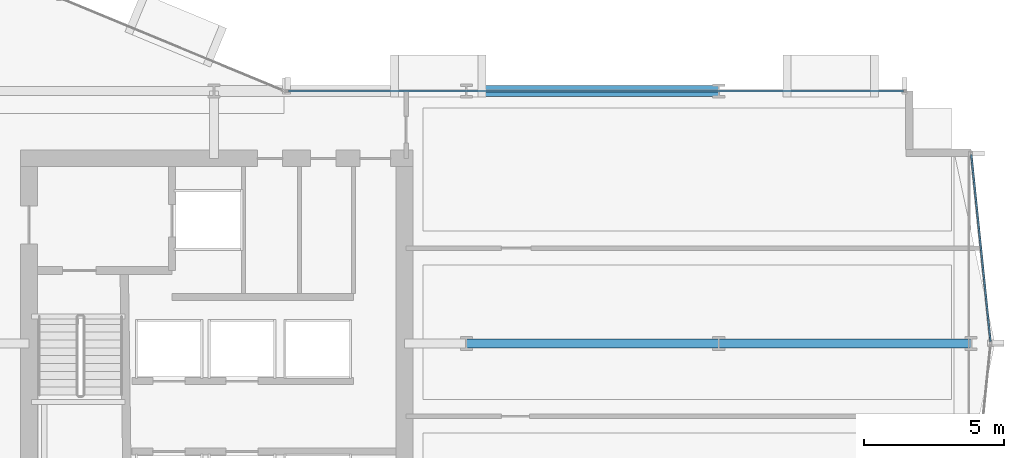
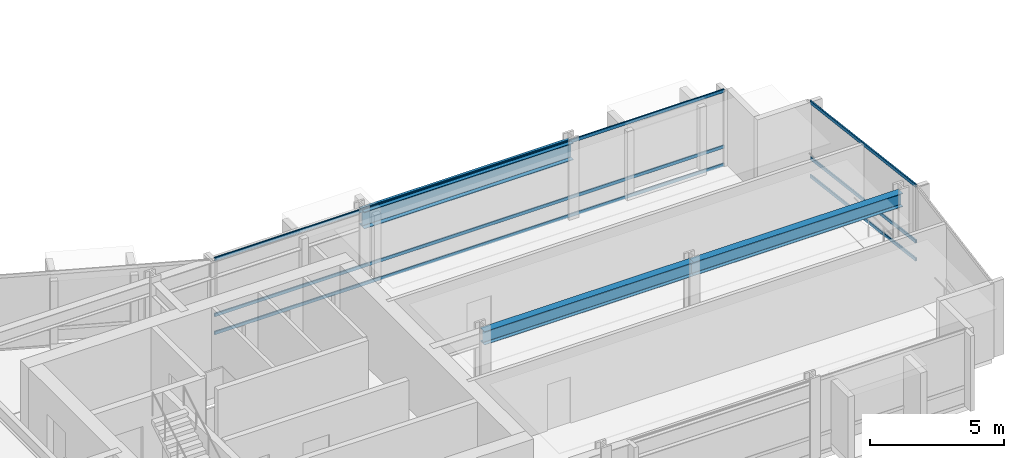
# One storey, part 16 of 34: 6 members, 3 beams, 2 elements without a shape of their own.
"""IFC4 building model written with IfcOpenShell, lengths in metres."""

from ifc_helpers import new_model, si_unit, direction, frame, origin, origin_2d, place, context, subcontext, project, spatial, hollow_rectangle, i_section, extrude, material, layer, layer_set, material_profile, profile_set, type_object, element, aggregate, save


model = new_model("IFC4")

# Units and contexts
model_context = context("Model", 3, precision=1e-05, world=origin(), true_north=direction((0.0, 1.0)))
body_context = subcontext(model_context, "Body", "Model", "MODEL_VIEW")
ifc_project = project(units=[si_unit("LENGTHUNIT", "METRE"), si_unit("AREAUNIT", "SQUARE_METRE"), si_unit("VOLUMEUNIT", "CUBIC_METRE"), si_unit("PLANEANGLEUNIT", "RADIAN"), si_unit("MASSUNIT", "GRAM", prefix="KILO")], contexts=[model_context])

# Site, building, storey
site_placement = place(None, origin())
site = spatial("IfcSite", under=ifc_project, at=site_placement, CompositionType="ELEMENT")
building_placement = place(site_placement, origin())
building = spatial("IfcBuilding", under=site, at=building_placement, Name="Solvaryn Broadcast Tower", CompositionType="ELEMENT")
storey_placement = place(building_placement, frame((0.0, 0.0, 36.0)))
storey = spatial("IfcBuildingStorey", under=building, at=storey_placement, Name="L07", CompositionType="ELEMENT", Elevation=36.0)

# Beams
ifc_material_1 = material(Name="Steel ASTM A992 Grade 50", Category="steel")
ifc_material_profile_1 = material_profile(ifc_material_1, i_section(OverallWidth=0.323974609375, OverallDepth=0.611083984375, WebThickness=0.0126953125, FlangeThickness=0.01904296875, FilletRadius=0.014892578125, at=origin_2d()))
ifc_profile_set_1 = profile_set([ifc_material_profile_1], Name="Steel ASTM A992 Grade 50")
beam_type_1 = type_object("IfcBeamType", Name="BM-B1-W24X104", PredefinedType="BEAM", material=ifc_profile_set_1)
for number, where, z_axis, x_axis, name in (
    (1, (45.0, 18.0, 3.114501953125), (1.0, 0.0, 0.0), (0.0, 1.0, 0.0), "L07 Primary Beam X (45-54 @ Y=18)"),
    (2, (54.0, 18.0, 3.114501953125), (1.0, 0.0, 0.0), (0.0, 1.0, 0.0), "L07 Primary Beam X (54-63 @ Y=18)"),
):
    element("IfcBeam", number, at=place(storey_placement, frame(where, z_axis=z_axis, x_axis=x_axis)), inside=storey, type_object=beam_type_1, Name=name, PredefinedType="BEAM", context=body_context, shape_type="SweptSolid", body=[
        extrude(i_section(OverallWidth=0.323974609375, OverallDepth=0.611083984375, WebThickness=0.0126953125, FlangeThickness=0.01904296875, FilletRadius=0.014892578125, at=origin_2d()), origin(), (0.0, 0.0, 1.0), 9.0),
    ])
ifc_material_2 = material(Name="Steel ASTM A992 Grade 50", Category="steel")
ifc_material_profile_2 = material_profile(ifc_material_2, i_section(OverallWidth=0.381103515625, OverallDepth=0.77294921875, WebThickness=0.0166015625, FlangeThickness=0.027099609375, FilletRadius=0.01806640625, at=origin_2d()))
ifc_profile_set_2 = profile_set([ifc_material_profile_2], Name="Steel ASTM A992 Grade 50")
beam_type_2 = type_object("IfcBeamType", Name="BM-SP1-W30X173", PredefinedType="USERDEFINED", material=ifc_profile_set_2)
beam_placement = place(storey_placement, frame((45.0, 27.0, 3.033447265625), z_axis=(1.0, 0.0, 0.0), x_axis=(0.0, 1.0, 0.0)))
element("IfcBeam", 3, at=beam_placement, inside=storey, type_object=beam_type_2, Name="L07 Spandrel Beam X (45-54 @ Y=27)", ObjectType="SPANDREL", PredefinedType="USERDEFINED", context=body_context, shape_type="SweptSolid", body=[
    extrude(i_section(OverallWidth=0.381103515625, OverallDepth=0.77294921875, WebThickness=0.0166015625, FlangeThickness=0.027099609375, FilletRadius=0.01806640625, at=origin_2d()), origin(), (0.0, 0.0, 1.0), 9.0),
])

# Curtain wall, members
ifc_material_3 = material(Name="Aluminium and Terracotta Unitised Curtain Wall", Category="masonry")
ifc_layer = layer(ifc_material_3, 0.199951171875)
ifc_layer_set = layer_set([ifc_layer], Name="CW-SYS2-LOWMID")
curtain_wall_type = type_object("IfcCurtainWallType", Name="CW-SYS2-LOWMID", PredefinedType="NOTDEFINED", material=ifc_layer_set)
curtain_wall_1_placement = place(storey_placement, origin())
curtain_wall_1 = element("IfcCurtainWall", 4, at=curtain_wall_1_placement, inside=storey, type_object=curtain_wall_type, Name="L07 Curtain Wall ET1", PredefinedType="NOTDEFINED")
ifc_material_4 = material(Name="Anodised Aluminium 6063-T6", Category="aluminium")
ifc_material_profile_3 = material_profile(ifc_material_4, hollow_rectangle(XDim=0.06494140625, YDim=0.14990234375, WallThickness=0.00390625, InnerFilletRadius=0.00390625, OuterFilletRadius=0.008056640625, at=origin_2d()))
ifc_profile_set_3 = profile_set([ifc_material_profile_3], Name="Anodised Aluminium 6063-T6")
member_type = type_object("IfcMemberType", Name="CW-TRN-150", PredefinedType="USERDEFINED", material=ifc_profile_set_3)
member_1_placement = place(storey_placement, frame((63.006103515625, 24.740234375, 0.030029296875), z_axis=(0.102404277363, -0.994742863245, 0.0), x_axis=(0.994742863245, 0.102404277363, 0.0)))
member_1 = element("IfcMember", 5, at=member_1_placement, type_object=member_type, Name="CWS2 transom 1.1", ObjectType="TRANSOM", PredefinedType="USERDEFINED", context=body_context, shape_type="SweptSolid", body=[
    extrude(hollow_rectangle(XDim=0.06494140625, YDim=0.14990234375, WallThickness=0.00390625, InnerFilletRadius=0.00390625, OuterFilletRadius=0.008056640625, at=origin_2d()), origin(), (0.0, 0.0, 1.0), 6.716064453125),
])
member_2_placement = place(storey_placement, frame((63.006103515625, 24.740234375, 0.85009765625), z_axis=(0.102404277363, -0.994742863245, 0.0), x_axis=(0.994742863245, 0.102404277363, 0.0)))
member_2 = element("IfcMember", 6, at=member_2_placement, type_object=member_type, Name="CWS2 transom 1.2", ObjectType="TRANSOM", PredefinedType="USERDEFINED", context=body_context, shape_type="SweptSolid", body=[
    extrude(hollow_rectangle(XDim=0.06494140625, YDim=0.14990234375, WallThickness=0.00390625, InnerFilletRadius=0.00390625, OuterFilletRadius=0.008056640625, at=origin_2d()), origin(), (0.0, 0.0, 1.0), 6.716064453125),
])
member_3_placement = place(storey_placement, frame((63.006103515625, 24.740234375, 3.389892578125), z_axis=(0.102404277363, -0.994742863245, 0.0), x_axis=(0.994742863245, 0.102404277363, 0.0)))
member_3 = element("IfcMember", 7, at=member_3_placement, type_object=member_type, Name="CWS2 transom 1.3", ObjectType="TRANSOM", PredefinedType="USERDEFINED", context=body_context, shape_type="SweptSolid", body=[
    extrude(hollow_rectangle(XDim=0.06494140625, YDim=0.14990234375, WallThickness=0.00390625, InnerFilletRadius=0.00390625, OuterFilletRadius=0.008056640625, at=origin_2d()), origin(), (0.0, 0.0, 1.0), 6.716064453125),
])
aggregate(curtain_wall_1, [member_1, member_2, member_3])

curtain_wall_2_placement = place(storey_placement, origin())
curtain_wall_2 = element("IfcCurtainWall", 8, at=curtain_wall_2_placement, inside=storey, type_object=curtain_wall_type, Name="L07 Curtain Wall IH", PredefinedType="NOTDEFINED")
member_4_placement = place(storey_placement, frame((38.659912109375, 27.0, 0.030029296875), z_axis=(1.0, 0.0, 0.0), x_axis=(0.0, 1.0, 0.0)))
member_4 = element("IfcMember", 9, at=member_4_placement, type_object=member_type, Name="CWS2 transom 1.1", ObjectType="TRANSOM", PredefinedType="USERDEFINED", context=body_context, shape_type="SweptSolid", body=[
    extrude(hollow_rectangle(XDim=0.06494140625, YDim=0.14990234375, WallThickness=0.00390625, InnerFilletRadius=0.00390625, OuterFilletRadius=0.008056640625, at=origin_2d()), origin(), (0.0, 0.0, 1.0), 21.93017578125),
])
member_5_placement = place(storey_placement, frame((38.659912109375, 27.0, 0.85009765625), z_axis=(1.0, 0.0, 0.0), x_axis=(0.0, 1.0, 0.0)))
member_5 = element("IfcMember", 10, at=member_5_placement, type_object=member_type, Name="CWS2 transom 1.2", ObjectType="TRANSOM", PredefinedType="USERDEFINED", context=body_context, shape_type="SweptSolid", body=[
    extrude(hollow_rectangle(XDim=0.06494140625, YDim=0.14990234375, WallThickness=0.00390625, InnerFilletRadius=0.00390625, OuterFilletRadius=0.008056640625, at=origin_2d()), origin(), (0.0, 0.0, 1.0), 21.93017578125),
])
member_6_placement = place(storey_placement, frame((38.659912109375, 27.0, 3.389892578125), z_axis=(1.0, 0.0, 0.0), x_axis=(0.0, 1.0, 0.0)))
member_6 = element("IfcMember", 11, at=member_6_placement, type_object=member_type, Name="CWS2 transom 1.3", ObjectType="TRANSOM", PredefinedType="USERDEFINED", context=body_context, shape_type="SweptSolid", body=[
    extrude(hollow_rectangle(XDim=0.06494140625, YDim=0.14990234375, WallThickness=0.00390625, InnerFilletRadius=0.00390625, OuterFilletRadius=0.008056640625, at=origin_2d()), origin(), (0.0, 0.0, 1.0), 21.93017578125),
])
aggregate(curtain_wall_2, [member_4, member_5, member_6])

save(model, "model.ifc")
